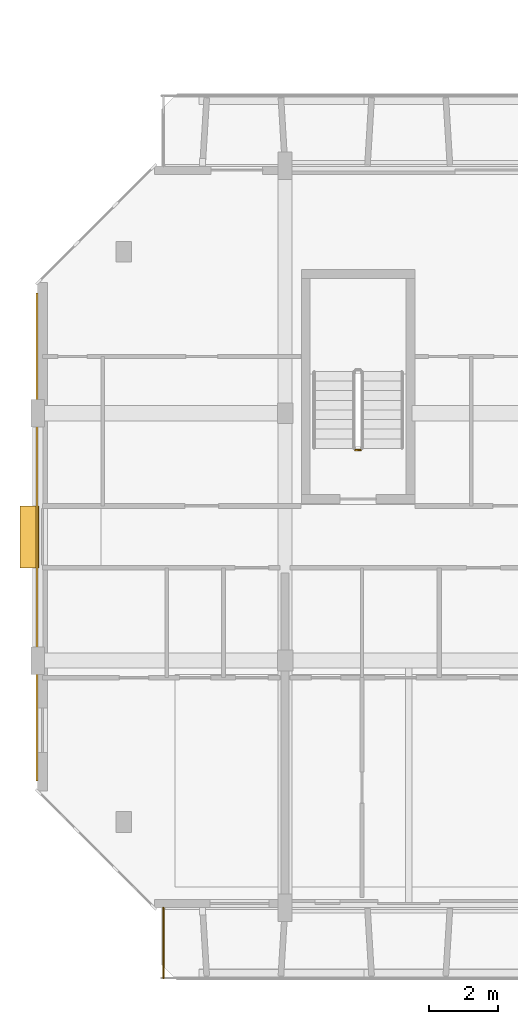
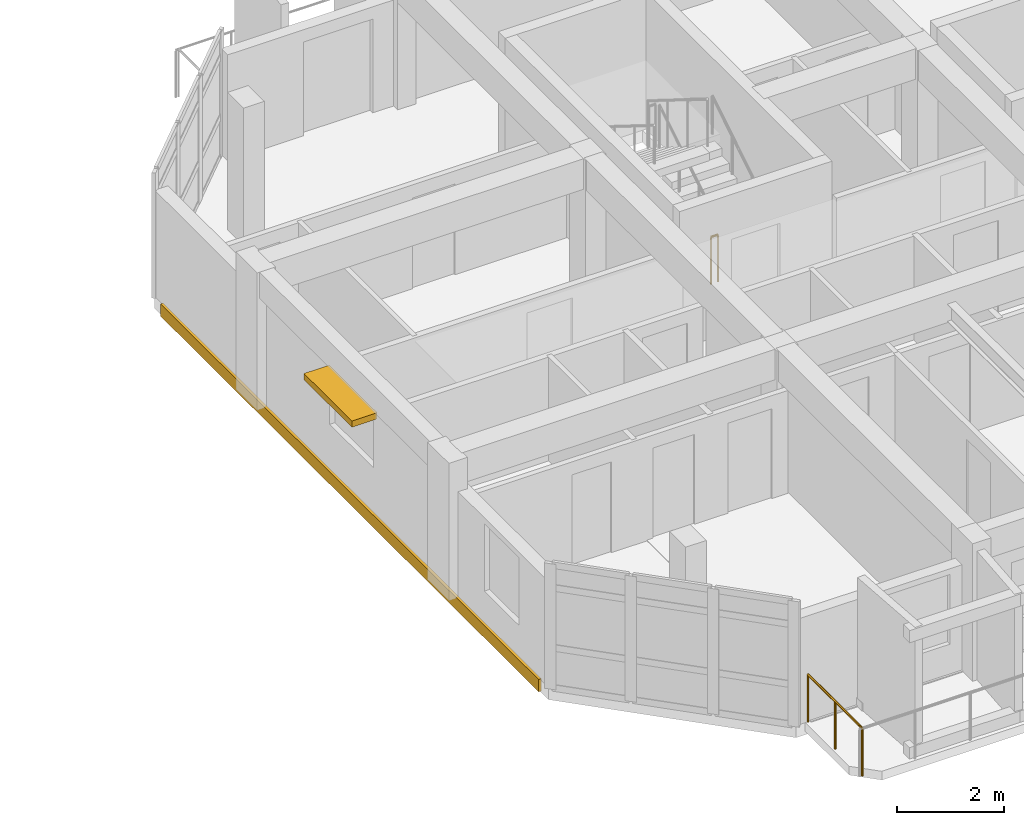
# One storey, part 34 of 44: 2 railings, 1 covering, 1 shading device.
"""IFC4 building model written with IfcOpenShell, lengths in metres."""

import ifcopenshell
import ifcopenshell.guid

model = None  # the IFC model being written
_history = None  # IfcOwnerHistory: only IFC2X3 demands one
_inside = {}  # id of a spatial element -> (the spatial element, [elements in it])
_under = {}  # id of a project, library or spatial element -> (it, [spatial elements below it])
_declared = {}  # id of a project -> (the project, [libraries it declares])
_typed = {}  # id of a type object -> (the type object, [elements of that type])
_made_of = {}  # id of a material, layer set ... -> (it, [elements and type objects made of it])


def new_model(schema):
    """Start an empty IFC model of exactly this schema.

    Asked for "IFC4X3", IfcOpenShell would pick the latest addendum, in which some entities
    have other attributes; the version numbers below select the first issue.
    IFC2X3 requires an IfcOwnerHistory on every rooted entity: one is made here for all.
    """
    global model, _history
    if schema == "IFC4X3":
        model = ifcopenshell.file(schema_version=(4, 3, 0, 0))
    else:
        model = ifcopenshell.file(schema=schema)
    _inside.clear()
    _under.clear()
    _declared.clear()
    _typed.clear()
    _made_of.clear()
    _history = None
    if model.schema == "IFC2X3":
        org = make("IfcOrganization", Name="unknown")
        user = make(
            "IfcPersonAndOrganization",
            ThePerson=make("IfcPerson", FamilyName="unknown"),
            TheOrganization=org,
        )
        app = make(
            "IfcApplication",
            ApplicationDeveloper=org,
            Version="unknown",
            ApplicationFullName="unknown",
            ApplicationIdentifier="unknown",
        )
        _history = make(
            "IfcOwnerHistory",
            OwningUser=user,
            OwningApplication=app,
            ChangeAction="ADDED",
            CreationDate=0,
        )
    return model


def make(cls, **values):
    """One entity of the class cls with the attributes given. An attribute that is None is left unset."""
    return model.create_entity(
        cls, **{name: value for name, value in values.items() if value is not None}
    )


def rooted(cls, **values):
    """An entity with a GlobalId (a new one), such as an element, a storey or a relation."""
    return make(cls, GlobalId=ifcopenshell.guid.new(), OwnerHistory=_history, **values)


def si_unit(unit_type, name, prefix=None):
    """IfcSIUnit, for example si_unit("LENGTHUNIT", "METRE", prefix="MILLI")."""
    return make("IfcSIUnit", UnitType=unit_type, Prefix=prefix, Name=name)


def assignment(units):
    """IfcUnitAssignment: the units of a project."""
    return None if units is None else make("IfcUnitAssignment", Units=units)


def point(xyz):
    """IfcCartesianPoint."""
    return None if xyz is None else make("IfcCartesianPoint", Coordinates=xyz)


def direction(xyz):
    """IfcDirection."""
    return None if xyz is None else make("IfcDirection", DirectionRatios=xyz)


def frame(location, z_axis=None, x_axis=None):
    """IfcAxis2Placement3D, a coordinate frame: its origin and axes. An axis left out is left unset."""
    return make(
        "IfcAxis2Placement3D",
        Location=point(location),
        Axis=direction(z_axis),
        RefDirection=direction(x_axis),
    )


def frame_2d(location, x_axis=None):
    """IfcAxis2Placement2D, a coordinate frame in the plane: its origin and x axis."""
    return make(
        "IfcAxis2Placement2D", Location=point(location), RefDirection=direction(x_axis)
    )


def origin():
    """The frame at (0, 0, 0) with its axes left unset."""
    return frame((0.0, 0.0, 0.0))


def origin_2d():
    """The frame at (0, 0) in the plane with its x axis left unset."""
    return frame_2d((0.0, 0.0))


def place(relative_to, where):
    """IfcLocalPlacement: puts the frame where relative to a parent placement (None: the world)."""
    return make(
        "IfcLocalPlacement", PlacementRelTo=relative_to, RelativePlacement=where
    )


def context(
    kind, dimensions, precision=None, world=None, true_north=None, identifier=None
):
    """IfcGeometricRepresentationContext, for example the 3D "Model" context."""
    return make(
        "IfcGeometricRepresentationContext",
        ContextIdentifier=identifier,
        ContextType=kind,
        CoordinateSpaceDimension=dimensions,
        Precision=precision,
        WorldCoordinateSystem=world,
        TrueNorth=true_north,
    )


def subcontext(parent, identifier, kind, view, scale=None):
    """IfcGeometricRepresentationSubContext, for example "Body" below "Model"."""
    return make(
        "IfcGeometricRepresentationSubContext",
        ContextIdentifier=identifier,
        ContextType=kind,
        ParentContext=parent,
        TargetScale=scale,
        TargetView=view,
    )


def project(units=None, contexts=None):
    """IfcProject with its units and contexts."""
    return rooted(
        "IfcProject",
        Name="project",
        RepresentationContexts=contexts,
        UnitsInContext=assignment(units),
    )


def spatial(cls, under=None, at=None, **own):
    """A site, building, storey or space (cls), placed at a placement, below another one or the project."""
    s = rooted(cls, ObjectPlacement=at, **own)
    if under is not None:
        _under.setdefault(under.id(), (under, []))[1].append(s)
    return s


def profile(cls, at=None, kind="AREA", **sizes):
    """A parametric profile (cls). Its sizes go by their IFC names, for example OverallWidth=200.0."""
    return make(cls, ProfileType=kind, Position=at, **sizes)


def rectangle(**sizes):
    """IfcRectangleProfileDef."""
    return profile("IfcRectangleProfileDef", **sizes)


def circle(**sizes):
    """IfcCircleProfileDef."""
    return profile("IfcCircleProfileDef", **sizes)


def extrude(swept, where, along, depth):
    """IfcExtrudedAreaSolid: the profile swept, set in the frame where, extruded along a direction by depth."""
    return make(
        "IfcExtrudedAreaSolid",
        SweptArea=swept,
        Position=where,
        ExtrudedDirection=direction(along),
        Depth=depth,
    )


def shape(context_of_items, identifier, shape_type, items):
    """IfcShapeRepresentation: the items that make up one representation, for example the "Body"."""
    return make(
        "IfcShapeRepresentation",
        ContextOfItems=context_of_items,
        RepresentationIdentifier=identifier,
        RepresentationType=shape_type,
        Items=items,
    )


def material(Name=None, Category=None):
    """IfcMaterial."""
    return make("IfcMaterial", Name=Name, Category=Category)


def layer(
    of_material, thickness, ventilated=None, Name=None, Category=None, Priority=None
):
    """IfcMaterialLayer: one layer of a wall or slab, of a material (None: an air gap)."""
    return make(
        "IfcMaterialLayer",
        Material=of_material,
        LayerThickness=thickness,
        IsVentilated=ventilated,
        Name=Name,
        Category=Category,
        Priority=Priority,
    )


def layer_set(layers, Name=None):
    """IfcMaterialLayerSet."""
    return make("IfcMaterialLayerSet", MaterialLayers=layers, LayerSetName=Name)


def made_of(thing, what):
    """Note that an element or type object is made of a material, layer set ...; save() writes the relation."""
    if what is not None:
        _made_of.setdefault(what.id(), (what, []))[1].append(thing)
    return thing


def type_object(cls, material=None, **own):
    """A type object (cls), such as IfcWallType, which elements share."""
    return made_of(rooted(cls, **own), material)


def element(
    cls,
    number,
    at=None,
    inside=None,
    cuts=None,
    type_object=None,
    material=None,
    context=None,
    identifier="Body",
    shape_type=None,
    held_by="IfcProductDefinitionShape",
    body=None,
    shapes=None,
    **own,
):
    """One element of the class cls, such as IfcWall. Its Tag is "e" and its number.

    at: its placement. inside: the storey or other place that contains it. cuts: it is an
    opening in that element (IfcRelVoidsElement). A single representation is given by context,
    identifier, shape_type and body (its items); several are given by shapes. held_by: the class
    of the entity that holds the representations. save() writes the other relations.
    """
    e = rooted(cls, Tag="e%d" % number, ObjectPlacement=at, **own)
    if body is not None:
        shapes = [shape(context, identifier, shape_type, body)]
    if shapes is not None:
        e.Representation = make(held_by, Representations=shapes)
    if inside is not None:
        _inside.setdefault(inside.id(), (inside, []))[1].append(e)
    if cuts is not None:
        rooted(
            "IfcRelVoidsElement", RelatingBuildingElement=cuts, RelatedOpeningElement=e
        )
    if type_object is not None:
        _typed.setdefault(type_object.id(), (type_object, []))[1].append(e)
    return made_of(e, material)


def aggregate(whole, parts):
    """IfcRelAggregates: a whole, such as a stair, and the parts it consists of."""
    return rooted("IfcRelAggregates", RelatingObject=whole, RelatedObjects=parts)


def save(model, path):
    """Write the relations noted so far, then the file.

    IfcRelAggregates (storeys below a building ...), IfcRelContainedInSpatialStructure (elements
    in a storey), IfcRelDefinesByType, IfcRelAssociatesMaterial and IfcRelDeclares: one each for
    every whole, place, type object, material and project.
    """
    for whole, parts in _under.values():
        aggregate(whole, parts)
    for where, things in _inside.values():
        rooted(
            "IfcRelContainedInSpatialStructure",
            RelatedElements=things,
            RelatingStructure=where,
        )
    for kind, things in _typed.values():
        rooted("IfcRelDefinesByType", RelatedObjects=things, RelatingType=kind)
    for what, things in _made_of.values():
        rooted("IfcRelAssociatesMaterial", RelatedObjects=things, RelatingMaterial=what)
    for by, libraries in _declared.values():
        rooted("IfcRelDeclares", RelatingContext=by, RelatedDefinitions=libraries)
    model.write(path)


model = new_model("IFC4")

# Units and contexts
model_context = context("Model", 3, precision=1e-05, world=origin(), true_north=direction((0.0, 1.0)))
body_context = subcontext(model_context, "Body", "Model", "MODEL_VIEW")
ifc_project = project(units=[si_unit("LENGTHUNIT", "METRE"), si_unit("AREAUNIT", "SQUARE_METRE"), si_unit("VOLUMEUNIT", "CUBIC_METRE"), si_unit("PLANEANGLEUNIT", "RADIAN"), si_unit("MASSUNIT", "GRAM", prefix="KILO")], contexts=[model_context])

# Site, building, storey
site_placement = place(None, origin())
site = spatial("IfcSite", under=ifc_project, at=site_placement, CompositionType="ELEMENT")
building_placement = place(site_placement, origin())
building = spatial("IfcBuilding", under=site, at=building_placement, Name="Ochrevale Crest", CompositionType="ELEMENT")
storey_placement = place(building_placement, frame((0.0, 0.0, 21.300048828125)))
storey = spatial("IfcBuildingStorey", under=building, at=storey_placement, Name="L06", CompositionType="ELEMENT", Elevation=21.300048828125)

# Covering
ifc_material_1 = material(Name="Glazed terracotta rainscreen tile", Category="masonry")
ifc_layer = layer(ifc_material_1, 0.048095703125)
ifc_layer_set = layer_set([ifc_layer], Name="Glazed terracotta rainscreen tile")
covering_type = type_object("IfcCoveringType", Name="COV-CLAD-TER", PredefinedType="CLADDING", material=ifc_layer_set)
covering_placement = place(storey_placement, frame((-0.014404296875, 25.199951171875, -0.26025390625), z_axis=(0.0, 0.0, 1.0), x_axis=(0.0, -1.0, 0.0)))
element("IfcCovering", 1, at=covering_placement, inside=storey, type_object=covering_type, Name="Block A L06 terracotta slab-edge spandrel cladding", PredefinedType="CLADDING", context=body_context, shape_type="SweptSolid", body=[
    extrude(rectangle(XDim=14.199951171875, YDim=0.06005859375, at=origin_2d()), origin(), (0.0, 0.0, 1.0), 0.280029296875),
])

# Railings
ifc_material_2 = material(Name="Galvanised steel", Category="steel")
railing_type_1 = type_object("IfcRailingType", Name="RL-BAL-1100", PredefinedType="BALUSTRADE", material=ifc_material_2)
railing_1_placement = place(storey_placement, frame((3.659912109375, 14.39990234375, 0.0)))
element("IfcRailing", 2, at=railing_1_placement, inside=storey, type_object=railing_type_1, Name="Block A L06 S-W balcony side guard", PredefinedType="BALUSTRADE", context=body_context, shape_type="SweptSolid", body=[
    extrude(circle(Radius=0.02392578125, at=origin_2d()), frame((0.0, 0.0, 1.0859375), z_axis=(0.0, -1.0, 0.0), x_axis=(1.0, 0.0, 0.0)), (0.0, 0.0, 1.0), 2.039794921875),
    extrude(circle(Radius=0.02099609375, at=origin_2d()), origin(), (0.0, 0.0, 1.0), 1.06201171875),
    extrude(circle(Radius=0.02099609375, at=origin_2d()), frame((0.0, -1.02001953125, 0.0)), (0.0, 0.0, 1.0), 1.06201171875),
    extrude(circle(Radius=0.02099609375, at=origin_2d()), frame((0.0, -2.039794921875, 0.0)), (0.0, 0.0, 1.0), 1.06201171875),
])
railing_type_2 = type_object("IfcRailingType", Name="RL-ST-GUARD", PredefinedType="BALUSTRADE", material=ifc_material_2)
railing_2_placement = place(storey_placement, frame((9.39990234375, 27.72509765625, 0.0)))
element("IfcRailing", 3, at=railing_2_placement, inside=storey, type_object=railing_type_2, Name="L06 ST-A1 stair guard 4", PredefinedType="BALUSTRADE", context=body_context, shape_type="SweptSolid", body=[
    extrude(circle(Radius=0.02392578125, at=origin_2d()), frame((0.0, 0.0, 1.076171875), z_axis=(-1.0, 0.0, 0.0), x_axis=(0.0, -1.0, 0.0)), (0.0, 0.0, 1.0), 0.14990234375),
    extrude(circle(Radius=0.02099609375, at=origin_2d()), origin(), (0.0, 0.0, 1.0), 1.052001953125),
    extrude(circle(Radius=0.02099609375, at=origin_2d()), frame((-0.14990234375, 0.0, 0.0)), (0.0, 0.0, 1.0), 1.052001953125),
])

# Shading device
ifc_material_3 = material(Name="Anodised aluminium 6063-T5", Category="aluminium")
shading_device_type = type_object("IfcShadingDeviceType", Name="SHD-SUNSHADE-OC", PredefinedType="USERDEFINED", material=ifc_material_3)
shading_device_placement = place(storey_placement, frame((-0.239990234375, 25.199951171875, 2.2099609375), z_axis=(0.0, 0.0, 1.0), x_axis=(1.0, 0.0, 0.0)))
element("IfcShadingDevice", 4, at=shading_device_placement, inside=storey, type_object=shading_device_type, Name="Block A L06 gable window sunshade W", ObjectType="HORIZONTAL SUNSHADE", PredefinedType="USERDEFINED", context=body_context, shape_type="SweptSolid", body=[
    extrude(rectangle(XDim=0.550048828125, YDim=1.800048828125, at=origin_2d()), origin(), (0.0, 0.0, 1.0), 0.139892578125),
])

save(model, "model.ifc")
